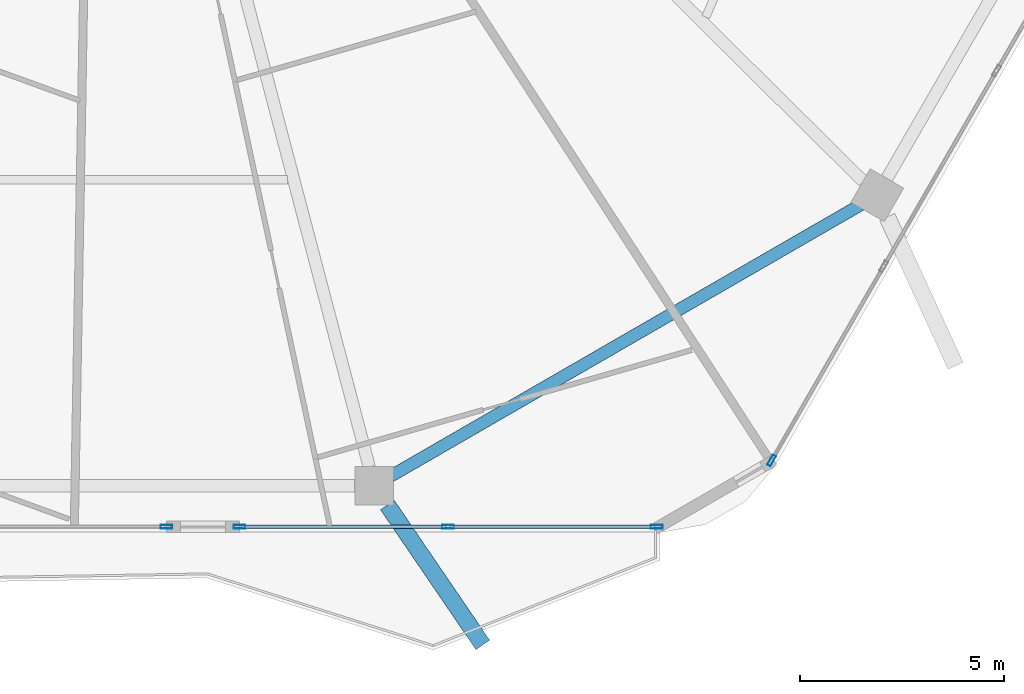
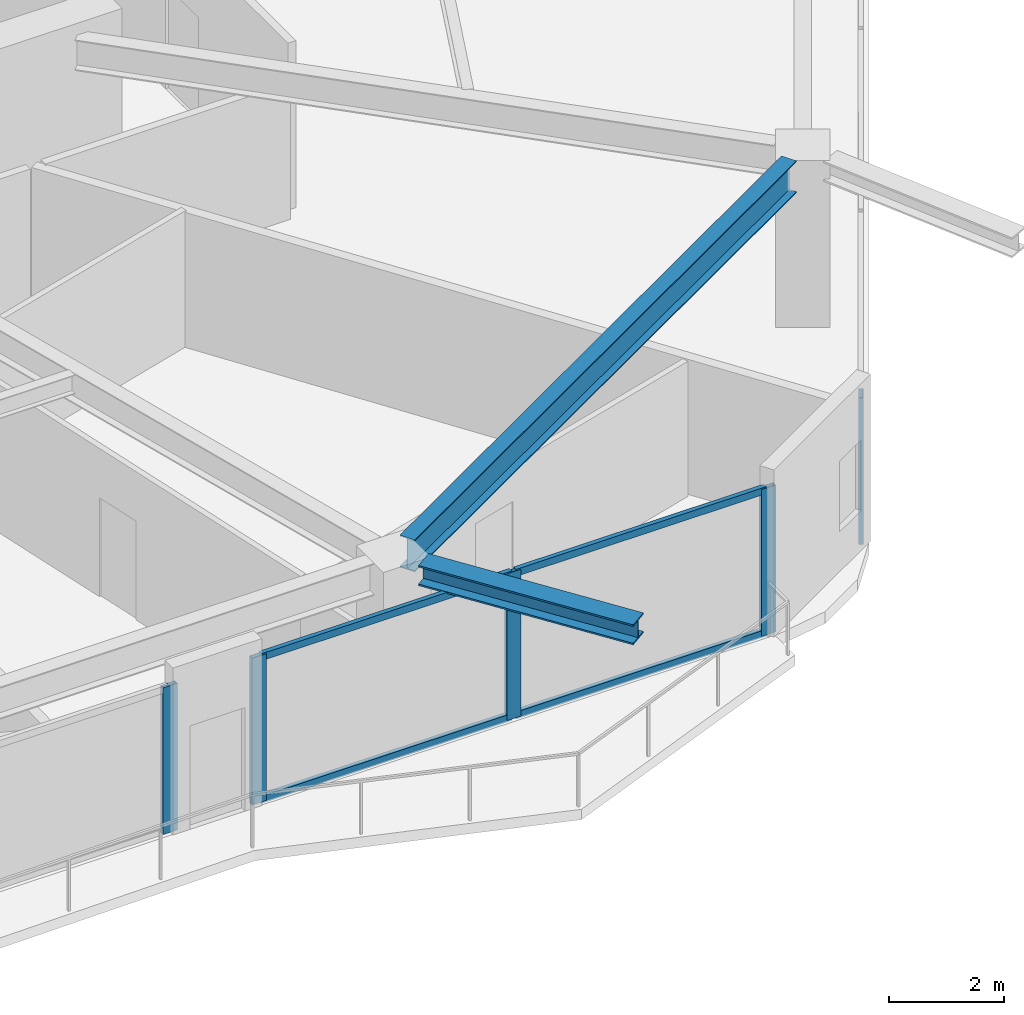
# One storey, part 7 of 27: 9 members, 2 beams, 3 elements without a shape of their own.
"""IFC4 building model written with IfcOpenShell, lengths in metres."""

import ifcopenshell
import ifcopenshell.guid

model = None  # the IFC model being written
_history = None  # IfcOwnerHistory: only IFC2X3 demands one
_inside = {}  # id of a spatial element -> (the spatial element, [elements in it])
_under = {}  # id of a project, library or spatial element -> (it, [spatial elements below it])
_declared = {}  # id of a project -> (the project, [libraries it declares])
_typed = {}  # id of a type object -> (the type object, [elements of that type])
_made_of = {}  # id of a material, layer set ... -> (it, [elements and type objects made of it])


def new_model(schema):
    """Start an empty IFC model of exactly this schema.

    Asked for "IFC4X3", IfcOpenShell would pick the latest addendum, in which some entities
    have other attributes; the version numbers below select the first issue.
    IFC2X3 requires an IfcOwnerHistory on every rooted entity: one is made here for all.
    """
    global model, _history
    if schema == "IFC4X3":
        model = ifcopenshell.file(schema_version=(4, 3, 0, 0))
    else:
        model = ifcopenshell.file(schema=schema)
    _inside.clear()
    _under.clear()
    _declared.clear()
    _typed.clear()
    _made_of.clear()
    _history = None
    if model.schema == "IFC2X3":
        org = make("IfcOrganization", Name="unknown")
        user = make(
            "IfcPersonAndOrganization",
            ThePerson=make("IfcPerson", FamilyName="unknown"),
            TheOrganization=org,
        )
        app = make(
            "IfcApplication",
            ApplicationDeveloper=org,
            Version="unknown",
            ApplicationFullName="unknown",
            ApplicationIdentifier="unknown",
        )
        _history = make(
            "IfcOwnerHistory",
            OwningUser=user,
            OwningApplication=app,
            ChangeAction="ADDED",
            CreationDate=0,
        )
    return model


def make(cls, **values):
    """One entity of the class cls with the attributes given. An attribute that is None is left unset."""
    return model.create_entity(
        cls, **{name: value for name, value in values.items() if value is not None}
    )


def rooted(cls, **values):
    """An entity with a GlobalId (a new one), such as an element, a storey or a relation."""
    return make(cls, GlobalId=ifcopenshell.guid.new(), OwnerHistory=_history, **values)


def si_unit(unit_type, name, prefix=None):
    """IfcSIUnit, for example si_unit("LENGTHUNIT", "METRE", prefix="MILLI")."""
    return make("IfcSIUnit", UnitType=unit_type, Prefix=prefix, Name=name)


def assignment(units):
    """IfcUnitAssignment: the units of a project."""
    return None if units is None else make("IfcUnitAssignment", Units=units)


def point(xyz):
    """IfcCartesianPoint."""
    return None if xyz is None else make("IfcCartesianPoint", Coordinates=xyz)


def direction(xyz):
    """IfcDirection."""
    return None if xyz is None else make("IfcDirection", DirectionRatios=xyz)


def frame(location, z_axis=None, x_axis=None):
    """IfcAxis2Placement3D, a coordinate frame: its origin and axes. An axis left out is left unset."""
    return make(
        "IfcAxis2Placement3D",
        Location=point(location),
        Axis=direction(z_axis),
        RefDirection=direction(x_axis),
    )


def frame_2d(location, x_axis=None):
    """IfcAxis2Placement2D, a coordinate frame in the plane: its origin and x axis."""
    return make(
        "IfcAxis2Placement2D", Location=point(location), RefDirection=direction(x_axis)
    )


def origin():
    """The frame at (0, 0, 0) with its axes left unset."""
    return frame((0.0, 0.0, 0.0))


def origin_2d():
    """The frame at (0, 0) in the plane with its x axis left unset."""
    return frame_2d((0.0, 0.0))


def place(relative_to, where):
    """IfcLocalPlacement: puts the frame where relative to a parent placement (None: the world)."""
    return make(
        "IfcLocalPlacement", PlacementRelTo=relative_to, RelativePlacement=where
    )


def context(
    kind, dimensions, precision=None, world=None, true_north=None, identifier=None
):
    """IfcGeometricRepresentationContext, for example the 3D "Model" context."""
    return make(
        "IfcGeometricRepresentationContext",
        ContextIdentifier=identifier,
        ContextType=kind,
        CoordinateSpaceDimension=dimensions,
        Precision=precision,
        WorldCoordinateSystem=world,
        TrueNorth=true_north,
    )


def subcontext(parent, identifier, kind, view, scale=None):
    """IfcGeometricRepresentationSubContext, for example "Body" below "Model"."""
    return make(
        "IfcGeometricRepresentationSubContext",
        ContextIdentifier=identifier,
        ContextType=kind,
        ParentContext=parent,
        TargetScale=scale,
        TargetView=view,
    )


def project(units=None, contexts=None):
    """IfcProject with its units and contexts."""
    return rooted(
        "IfcProject",
        Name="project",
        RepresentationContexts=contexts,
        UnitsInContext=assignment(units),
    )


def spatial(cls, under=None, at=None, **own):
    """A site, building, storey or space (cls), placed at a placement, below another one or the project."""
    s = rooted(cls, ObjectPlacement=at, **own)
    if under is not None:
        _under.setdefault(under.id(), (under, []))[1].append(s)
    return s


def profile(cls, at=None, kind="AREA", **sizes):
    """A parametric profile (cls). Its sizes go by their IFC names, for example OverallWidth=200.0."""
    return make(cls, ProfileType=kind, Position=at, **sizes)


def hollow_rectangle(**sizes):
    """IfcRectangleHollowProfileDef."""
    return profile("IfcRectangleHollowProfileDef", **sizes)


def i_section(**sizes):
    """IfcIShapeProfileDef."""
    return profile("IfcIShapeProfileDef", **sizes)


def extrude(swept, where, along, depth):
    """IfcExtrudedAreaSolid: the profile swept, set in the frame where, extruded along a direction by depth."""
    return make(
        "IfcExtrudedAreaSolid",
        SweptArea=swept,
        Position=where,
        ExtrudedDirection=direction(along),
        Depth=depth,
    )


def shape(context_of_items, identifier, shape_type, items):
    """IfcShapeRepresentation: the items that make up one representation, for example the "Body"."""
    return make(
        "IfcShapeRepresentation",
        ContextOfItems=context_of_items,
        RepresentationIdentifier=identifier,
        RepresentationType=shape_type,
        Items=items,
    )


def material(Name=None, Category=None):
    """IfcMaterial."""
    return make("IfcMaterial", Name=Name, Category=Category)


def material_profile(
    of_material, cross_section, Name=None, Category=None, Priority=None
):
    """IfcMaterialProfile: a cross section and its material."""
    return make(
        "IfcMaterialProfile",
        Name=Name,
        Material=of_material,
        Profile=cross_section,
        Priority=Priority,
        Category=Category,
    )


def profile_set(profiles, Name=None, composite=None):
    """IfcMaterialProfileSet."""
    return make(
        "IfcMaterialProfileSet",
        Name=Name,
        MaterialProfiles=profiles,
        CompositeProfile=composite,
    )


def made_of(thing, what):
    """Note that an element or type object is made of a material, layer set ...; save() writes the relation."""
    if what is not None:
        _made_of.setdefault(what.id(), (what, []))[1].append(thing)
    return thing


def type_object(cls, material=None, **own):
    """A type object (cls), such as IfcWallType, which elements share."""
    return made_of(rooted(cls, **own), material)


def element(
    cls,
    number,
    at=None,
    inside=None,
    cuts=None,
    type_object=None,
    material=None,
    context=None,
    identifier="Body",
    shape_type=None,
    held_by="IfcProductDefinitionShape",
    body=None,
    shapes=None,
    **own,
):
    """One element of the class cls, such as IfcWall. Its Tag is "e" and its number.

    at: its placement. inside: the storey or other place that contains it. cuts: it is an
    opening in that element (IfcRelVoidsElement). A single representation is given by context,
    identifier, shape_type and body (its items); several are given by shapes. held_by: the class
    of the entity that holds the representations. save() writes the other relations.
    """
    e = rooted(cls, Tag="e%d" % number, ObjectPlacement=at, **own)
    if body is not None:
        shapes = [shape(context, identifier, shape_type, body)]
    if shapes is not None:
        e.Representation = make(held_by, Representations=shapes)
    if inside is not None:
        _inside.setdefault(inside.id(), (inside, []))[1].append(e)
    if cuts is not None:
        rooted(
            "IfcRelVoidsElement", RelatingBuildingElement=cuts, RelatedOpeningElement=e
        )
    if type_object is not None:
        _typed.setdefault(type_object.id(), (type_object, []))[1].append(e)
    return made_of(e, material)


def aggregate(whole, parts):
    """IfcRelAggregates: a whole, such as a stair, and the parts it consists of."""
    return rooted("IfcRelAggregates", RelatingObject=whole, RelatedObjects=parts)


def save(model, path):
    """Write the relations noted so far, then the file.

    IfcRelAggregates (storeys below a building ...), IfcRelContainedInSpatialStructure (elements
    in a storey), IfcRelDefinesByType, IfcRelAssociatesMaterial and IfcRelDeclares: one each for
    every whole, place, type object, material and project.
    """
    for whole, parts in _under.values():
        aggregate(whole, parts)
    for where, things in _inside.values():
        rooted(
            "IfcRelContainedInSpatialStructure",
            RelatedElements=things,
            RelatingStructure=where,
        )
    for kind, things in _typed.values():
        rooted("IfcRelDefinesByType", RelatedObjects=things, RelatingType=kind)
    for what, things in _made_of.values():
        rooted("IfcRelAssociatesMaterial", RelatedObjects=things, RelatingMaterial=what)
    for by, libraries in _declared.values():
        rooted("IfcRelDeclares", RelatingContext=by, RelatedDefinitions=libraries)
    model.write(path)


model = new_model("IFC4")

# Units and contexts
model_context = context("Model", 3, precision=1e-05, world=origin(), true_north=direction((0.0, 1.0)))
body_context = subcontext(model_context, "Body", "Model", "MODEL_VIEW")
ifc_project = project(units=[si_unit("LENGTHUNIT", "METRE"), si_unit("AREAUNIT", "SQUARE_METRE"), si_unit("VOLUMEUNIT", "CUBIC_METRE"), si_unit("PLANEANGLEUNIT", "RADIAN"), si_unit("MASSUNIT", "GRAM", prefix="KILO")], contexts=[model_context])

# Site, building, storey
site_placement = place(None, origin())
site = spatial("IfcSite", under=ifc_project, at=site_placement, CompositionType="ELEMENT")
building_placement = place(site_placement, origin())
building = spatial("IfcBuilding", under=site, at=building_placement, Name="Zuhravey Tower", CompositionType="ELEMENT")
storey_placement = place(building_placement, frame((0.0, 0.0, 218.800048828125)))
storey = spatial("IfcBuildingStorey", under=building, at=storey_placement, Name="L55", CompositionType="ELEMENT", Elevation=218.800048828125)

# Curtain wall, member
ifc_material_1 = material(Name="Thermally broken anodised aluminium", Category="aluminium")
curtain_wall_type = type_object("IfcCurtainWallType", Name="Zone 1-2 Residential Curtain Wall CW3", PredefinedType="NOTDEFINED", material=ifc_material_1)
curtain_wall_1_placement = place(storey_placement, origin())
curtain_wall_1 = element("IfcCurtainWall", 1, at=curtain_wall_1_placement, inside=storey, type_object=curtain_wall_type, Name="L55 CW3 CW-L55-F6-1", PredefinedType="NOTDEFINED")
ifc_material_2 = material(Name="Anodised aluminium", Category="aluminium")
ifc_material_profile_1 = material_profile(ifc_material_2, hollow_rectangle(XDim=0.090087890625, YDim=0.284912109375, WallThickness=0.0048828125, at=origin_2d()), Name="ALU-RHS-90x285x5")
ifc_profile_set_1 = profile_set([ifc_material_profile_1], Name="Anodised aluminium")
member_type_1 = type_object("IfcMemberType", Name="Curtain-Wall Mullion 90x180", PredefinedType="MULLION", material=ifc_profile_set_1)
member_1_placement = place(storey_placement, frame((52.63330078125, 6.443359375, 0.0), z_axis=(0.0, 0.0, 1.0), x_axis=(0.866025138215, -0.500000459979, 0.0)))
member_1 = element("IfcMember", 2, at=member_1_placement, type_object=member_type_1, Name="CW3 mullion 6", PredefinedType="MULLION", context=body_context, shape_type="SweptSolid", body=[
    extrude(hollow_rectangle(XDim=0.090087890625, YDim=0.284912109375, WallThickness=0.0048828125, at=origin_2d()), origin(), (0.0, 0.0, 1.0), 3.1220703125),
])
aggregate(curtain_wall_1, [member_1])

# Curtain wall, members
curtain_wall_2_placement = place(storey_placement, origin())
curtain_wall_2 = element("IfcCurtainWall", 3, at=curtain_wall_2_placement, inside=storey, type_object=curtain_wall_type, Name="L55 CW3 CW-L55-F5-1", PredefinedType="NOTDEFINED")
member_2_placement = place(storey_placement, frame((49.816162109375, 4.81689453125, 0.0), z_axis=(0.0, 0.0, 1.0), x_axis=(0.0, -1.0, 0.0)))
member_2 = element("IfcMember", 4, at=member_2_placement, type_object=member_type_1, Name="CW3 mullion 1", PredefinedType="MULLION", context=body_context, shape_type="SweptSolid", body=[
    extrude(hollow_rectangle(XDim=0.090087890625, YDim=0.284912109375, WallThickness=0.0048828125, at=origin_2d()), origin(), (0.0, 0.0, 1.0), 3.1220703125),
])
member_3_placement = place(storey_placement, frame((44.69482421875, 4.81689453125, 0.0), z_axis=(0.0, 0.0, 1.0), x_axis=(0.0, -1.0, 0.0)))
member_3 = element("IfcMember", 5, at=member_3_placement, type_object=member_type_1, Name="CW3 mullion 2", PredefinedType="MULLION", context=body_context, shape_type="SweptSolid", body=[
    extrude(hollow_rectangle(XDim=0.090087890625, YDim=0.284912109375, WallThickness=0.0048828125, at=origin_2d()), origin(), (0.0, 0.0, 1.0), 3.1220703125),
])
member_4_placement = place(storey_placement, frame((39.573486328125, 4.81689453125, 0.0), z_axis=(0.0, 0.0, 1.0), x_axis=(0.0, -1.0, 0.0)))
member_4 = element("IfcMember", 6, at=member_4_placement, type_object=member_type_1, Name="CW3 mullion 3", PredefinedType="MULLION", context=body_context, shape_type="SweptSolid", body=[
    extrude(hollow_rectangle(XDim=0.090087890625, YDim=0.284912109375, WallThickness=0.0048828125, at=origin_2d()), origin(), (0.0, 0.0, 1.0), 3.1220703125),
])

# Curtain wall, member
curtain_wall_3_placement = place(storey_placement, origin())
curtain_wall_3 = element("IfcCurtainWall", 7, at=curtain_wall_3_placement, inside=storey, type_object=curtain_wall_type, Name="L55 CW3 CW-L55-F5-2", PredefinedType="NOTDEFINED")
member_5_placement = place(storey_placement, frame((37.78369140625, 4.81689453125, 0.0), z_axis=(0.0, 0.0, 1.0), x_axis=(0.0, -1.0, 0.0)))
member_5 = element("IfcMember", 8, at=member_5_placement, type_object=member_type_1, Name="CW3 mullion 1", PredefinedType="MULLION", context=body_context, shape_type="SweptSolid", body=[
    extrude(hollow_rectangle(XDim=0.090087890625, YDim=0.284912109375, WallThickness=0.0048828125, at=origin_2d()), origin(), (0.0, 0.0, 1.0), 3.1220703125),
])
aggregate(curtain_wall_3, [member_5])

# Member
ifc_material_profile_2 = material_profile(ifc_material_2, hollow_rectangle(XDim=0.090087890625, YDim=0.14990234375, WallThickness=0.0048828125, at=origin_2d()), Name="ALU-RHS-90x150x5")
ifc_profile_set_2 = profile_set([ifc_material_profile_2], Name="Anodised aluminium")
member_type_2 = type_object("IfcMemberType", Name="Curtain-Wall Transom 90x150", PredefinedType="USERDEFINED", material=ifc_profile_set_2)
member_6_placement = place(storey_placement, frame((49.77099609375, 4.81689453125, 0.044921875), z_axis=(-1.0, 0.0, 0.0), x_axis=(0.0, -1.0, 0.0)))
member_6 = element("IfcMember", 9, at=member_6_placement, type_object=member_type_2, Name="CW3 transom 1.1", ObjectType="TRANSOM", PredefinedType="USERDEFINED", context=body_context, shape_type="SweptSolid", body=[
    extrude(hollow_rectangle(XDim=0.090087890625, YDim=0.14990234375, WallThickness=0.0048828125, at=origin_2d()), origin(), (0.0, 0.0, 1.0), 5.03125),
])

member_7_placement = place(storey_placement, frame((49.77099609375, 4.81689453125, 3.076904296875), z_axis=(-1.0, 0.0, 0.0), x_axis=(0.0, -1.0, 0.0)))
member_7 = element("IfcMember", 10, at=member_7_placement, type_object=member_type_2, Name="CW3 transom 1.2", ObjectType="TRANSOM", PredefinedType="USERDEFINED", context=body_context, shape_type="SweptSolid", body=[
    extrude(hollow_rectangle(XDim=0.090087890625, YDim=0.14990234375, WallThickness=0.0048828125, at=origin_2d()), origin(), (0.0, 0.0, 1.0), 5.03125),
])

member_8_placement = place(storey_placement, frame((44.64990234375, 4.81689453125, 0.044921875), z_axis=(-1.0, 0.0, 0.0), x_axis=(0.0, -1.0, 0.0)))
member_8 = element("IfcMember", 11, at=member_8_placement, type_object=member_type_2, Name="CW3 transom 2.1", ObjectType="TRANSOM", PredefinedType="USERDEFINED", context=body_context, shape_type="SweptSolid", body=[
    extrude(hollow_rectangle(XDim=0.090087890625, YDim=0.14990234375, WallThickness=0.0048828125, at=origin_2d()), origin(), (0.0, 0.0, 1.0), 5.03125),
])

member_9_placement = place(storey_placement, frame((44.64990234375, 4.81689453125, 3.076904296875), z_axis=(-1.0, 0.0, 0.0), x_axis=(0.0, -1.0, 0.0)))
member_9 = element("IfcMember", 12, at=member_9_placement, type_object=member_type_2, Name="CW3 transom 2.2", ObjectType="TRANSOM", PredefinedType="USERDEFINED", context=body_context, shape_type="SweptSolid", body=[
    extrude(hollow_rectangle(XDim=0.090087890625, YDim=0.14990234375, WallThickness=0.0048828125, at=origin_2d()), origin(), (0.0, 0.0, 1.0), 5.03125),
])

aggregate(curtain_wall_2, [member_2, member_3, member_4, member_6, member_7, member_8, member_9])

# Beams
ifc_material_3 = material(Name="Steel SM460", Category="steel")
ifc_material_profile_3 = material_profile(ifc_material_3, i_section(OverallWidth=0.406982421875, OverallDepth=0.427978515625, WebThickness=0.02001953125, FlangeThickness=0.034912109375, at=origin_2d()), Name="H-428x407x20x35")
ifc_profile_set_3 = profile_set([ifc_material_profile_3], Name="Steel SM460")
beam_type_1 = type_object("IfcBeamType", Name="Exoskeleton Node Tie Beam H428x407", PredefinedType="BEAM", material=ifc_profile_set_3)
beam_1_placement = place(storey_placement, frame((43.208251953125, 5.3486328125, 3.3359375), z_axis=(0.563356900509, -0.826213654359, 0.0), x_axis=(0.826213654359, 0.563356900509, 0.0)))
element("IfcBeam", 13, at=beam_1_placement, inside=storey, type_object=beam_type_1, Name="L55 Exoskeleton Node Tie NT1-10", PredefinedType="BEAM", context=body_context, shape_type="SweptSolid", body=[
    extrude(i_section(OverallWidth=0.406982421875, OverallDepth=0.427978515625, WebThickness=0.02001953125, FlangeThickness=0.034912109375, at=origin_2d()), origin(), (0.0, 0.0, 1.0), 4.15087890625),
])
ifc_material_4 = material(Name="Steel SM355", Category="steel")
ifc_material_profile_4 = material_profile(ifc_material_4, i_section(OverallWidth=0.300048828125, OverallDepth=0.679931640625, WebThickness=0.012939453125, FlangeThickness=0.02197265625, at=origin_2d()), Name="H-680x300x13x22")
ifc_profile_set_4 = profile_set([ifc_material_profile_4], Name="Steel SM355")
beam_type_2 = type_object("IfcBeamType", Name="Perimeter Ring Beam H680x300", PredefinedType="BEAM", material=ifc_profile_set_4)
beam_2_placement = place(storey_placement, frame((43.2958984375, 6.06591796875, 3.2099609375), z_axis=(0.866029041019, 0.499993700073, 0.0), x_axis=(-0.499993700073, 0.866029041019, 0.0)))
element("IfcBeam", 14, at=beam_2_placement, inside=storey, type_object=beam_type_2, Name="L55 PB2 BM-L55-PB-10", PredefinedType="BEAM", context=body_context, shape_type="SweptSolid", body=[
    extrude(i_section(OverallWidth=0.300048828125, OverallDepth=0.679931640625, WebThickness=0.012939453125, FlangeThickness=0.02197265625, at=origin_2d()), origin(), (0.0, 0.0, 1.0), 13.297119140625),
])

save(model, "model.ifc")
